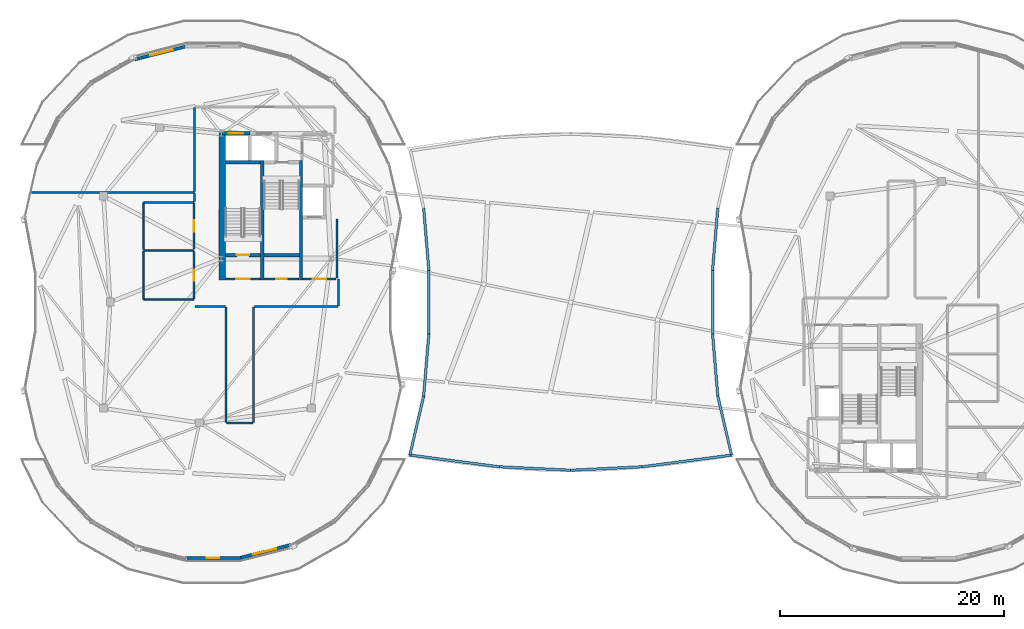
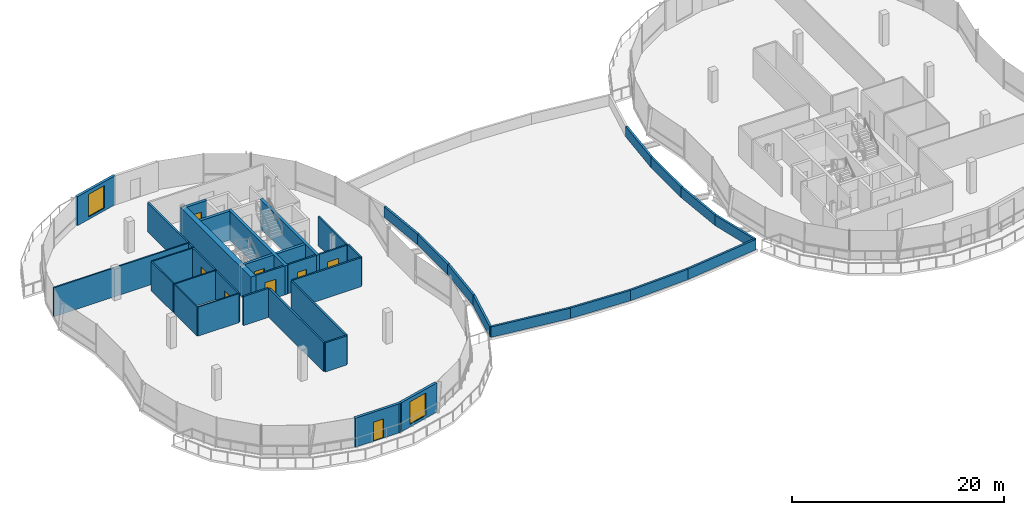
# One storey, part 20 of 31: 42 walls, 8 doors, 2 windows, 10 openings.
"""IFC4 building model written with IfcOpenShell, lengths in metres."""

import ifcopenshell
import ifcopenshell.guid

model = None  # the IFC model being written
_history = None  # IfcOwnerHistory: only IFC2X3 demands one
_inside = {}  # id of a spatial element -> (the spatial element, [elements in it])
_under = {}  # id of a project, library or spatial element -> (it, [spatial elements below it])
_declared = {}  # id of a project -> (the project, [libraries it declares])
_typed = {}  # id of a type object -> (the type object, [elements of that type])
_made_of = {}  # id of a material, layer set ... -> (it, [elements and type objects made of it])


def new_model(schema):
    """Start an empty IFC model of exactly this schema.

    Asked for "IFC4X3", IfcOpenShell would pick the latest addendum, in which some entities
    have other attributes; the version numbers below select the first issue.
    IFC2X3 requires an IfcOwnerHistory on every rooted entity: one is made here for all.
    """
    global model, _history
    if schema == "IFC4X3":
        model = ifcopenshell.file(schema_version=(4, 3, 0, 0))
    else:
        model = ifcopenshell.file(schema=schema)
    _inside.clear()
    _under.clear()
    _declared.clear()
    _typed.clear()
    _made_of.clear()
    _history = None
    if model.schema == "IFC2X3":
        org = make("IfcOrganization", Name="unknown")
        user = make(
            "IfcPersonAndOrganization",
            ThePerson=make("IfcPerson", FamilyName="unknown"),
            TheOrganization=org,
        )
        app = make(
            "IfcApplication",
            ApplicationDeveloper=org,
            Version="unknown",
            ApplicationFullName="unknown",
            ApplicationIdentifier="unknown",
        )
        _history = make(
            "IfcOwnerHistory",
            OwningUser=user,
            OwningApplication=app,
            ChangeAction="ADDED",
            CreationDate=0,
        )
    return model


def make(cls, **values):
    """One entity of the class cls with the attributes given. An attribute that is None is left unset."""
    return model.create_entity(
        cls, **{name: value for name, value in values.items() if value is not None}
    )


def rooted(cls, **values):
    """An entity with a GlobalId (a new one), such as an element, a storey or a relation."""
    return make(cls, GlobalId=ifcopenshell.guid.new(), OwnerHistory=_history, **values)


def si_unit(unit_type, name, prefix=None):
    """IfcSIUnit, for example si_unit("LENGTHUNIT", "METRE", prefix="MILLI")."""
    return make("IfcSIUnit", UnitType=unit_type, Prefix=prefix, Name=name)


def assignment(units):
    """IfcUnitAssignment: the units of a project."""
    return None if units is None else make("IfcUnitAssignment", Units=units)


def point(xyz):
    """IfcCartesianPoint."""
    return None if xyz is None else make("IfcCartesianPoint", Coordinates=xyz)


def direction(xyz):
    """IfcDirection."""
    return None if xyz is None else make("IfcDirection", DirectionRatios=xyz)


def frame(location, z_axis=None, x_axis=None):
    """IfcAxis2Placement3D, a coordinate frame: its origin and axes. An axis left out is left unset."""
    return make(
        "IfcAxis2Placement3D",
        Location=point(location),
        Axis=direction(z_axis),
        RefDirection=direction(x_axis),
    )


def frame_2d(location, x_axis=None):
    """IfcAxis2Placement2D, a coordinate frame in the plane: its origin and x axis."""
    return make(
        "IfcAxis2Placement2D", Location=point(location), RefDirection=direction(x_axis)
    )


def origin():
    """The frame at (0, 0, 0) with its axes left unset."""
    return frame((0.0, 0.0, 0.0))


def place(relative_to, where):
    """IfcLocalPlacement: puts the frame where relative to a parent placement (None: the world)."""
    return make(
        "IfcLocalPlacement", PlacementRelTo=relative_to, RelativePlacement=where
    )


def context(
    kind, dimensions, precision=None, world=None, true_north=None, identifier=None
):
    """IfcGeometricRepresentationContext, for example the 3D "Model" context."""
    return make(
        "IfcGeometricRepresentationContext",
        ContextIdentifier=identifier,
        ContextType=kind,
        CoordinateSpaceDimension=dimensions,
        Precision=precision,
        WorldCoordinateSystem=world,
        TrueNorth=true_north,
    )


def subcontext(parent, identifier, kind, view, scale=None):
    """IfcGeometricRepresentationSubContext, for example "Body" below "Model"."""
    return make(
        "IfcGeometricRepresentationSubContext",
        ContextIdentifier=identifier,
        ContextType=kind,
        ParentContext=parent,
        TargetScale=scale,
        TargetView=view,
    )


def project(units=None, contexts=None):
    """IfcProject with its units and contexts."""
    return rooted(
        "IfcProject",
        Name="project",
        RepresentationContexts=contexts,
        UnitsInContext=assignment(units),
    )


def spatial(cls, under=None, at=None, **own):
    """A site, building, storey or space (cls), placed at a placement, below another one or the project."""
    s = rooted(cls, ObjectPlacement=at, **own)
    if under is not None:
        _under.setdefault(under.id(), (under, []))[1].append(s)
    return s


def profile(cls, at=None, kind="AREA", **sizes):
    """A parametric profile (cls). Its sizes go by their IFC names, for example OverallWidth=200.0."""
    return make(cls, ProfileType=kind, Position=at, **sizes)


def rectangle(**sizes):
    """IfcRectangleProfileDef."""
    return profile("IfcRectangleProfileDef", **sizes)


def extrude(swept, where, along, depth):
    """IfcExtrudedAreaSolid: the profile swept, set in the frame where, extruded along a direction by depth."""
    return make(
        "IfcExtrudedAreaSolid",
        SweptArea=swept,
        Position=where,
        ExtrudedDirection=direction(along),
        Depth=depth,
    )


def shape(context_of_items, identifier, shape_type, items):
    """IfcShapeRepresentation: the items that make up one representation, for example the "Body"."""
    return make(
        "IfcShapeRepresentation",
        ContextOfItems=context_of_items,
        RepresentationIdentifier=identifier,
        RepresentationType=shape_type,
        Items=items,
    )


def material(Name=None, Category=None):
    """IfcMaterial."""
    return make("IfcMaterial", Name=Name, Category=Category)


def layer(
    of_material, thickness, ventilated=None, Name=None, Category=None, Priority=None
):
    """IfcMaterialLayer: one layer of a wall or slab, of a material (None: an air gap)."""
    return make(
        "IfcMaterialLayer",
        Material=of_material,
        LayerThickness=thickness,
        IsVentilated=ventilated,
        Name=Name,
        Category=Category,
        Priority=Priority,
    )


def layer_set(layers, Name=None):
    """IfcMaterialLayerSet."""
    return make("IfcMaterialLayerSet", MaterialLayers=layers, LayerSetName=Name)


def made_of(thing, what):
    """Note that an element or type object is made of a material, layer set ...; save() writes the relation."""
    if what is not None:
        _made_of.setdefault(what.id(), (what, []))[1].append(thing)
    return thing


def type_object(cls, material=None, **own):
    """A type object (cls), such as IfcWallType, which elements share."""
    return made_of(rooted(cls, **own), material)


def element(
    cls,
    number,
    at=None,
    inside=None,
    cuts=None,
    type_object=None,
    material=None,
    context=None,
    identifier="Body",
    shape_type=None,
    held_by="IfcProductDefinitionShape",
    body=None,
    shapes=None,
    **own,
):
    """One element of the class cls, such as IfcWall. Its Tag is "e" and its number.

    at: its placement. inside: the storey or other place that contains it. cuts: it is an
    opening in that element (IfcRelVoidsElement). A single representation is given by context,
    identifier, shape_type and body (its items); several are given by shapes. held_by: the class
    of the entity that holds the representations. save() writes the other relations.
    """
    e = rooted(cls, Tag="e%d" % number, ObjectPlacement=at, **own)
    if body is not None:
        shapes = [shape(context, identifier, shape_type, body)]
    if shapes is not None:
        e.Representation = make(held_by, Representations=shapes)
    if inside is not None:
        _inside.setdefault(inside.id(), (inside, []))[1].append(e)
    if cuts is not None:
        rooted(
            "IfcRelVoidsElement", RelatingBuildingElement=cuts, RelatedOpeningElement=e
        )
    if type_object is not None:
        _typed.setdefault(type_object.id(), (type_object, []))[1].append(e)
    return made_of(e, material)


def fill(opening, filler):
    """IfcRelFillsElement: the door or window that sits in an opening."""
    return rooted(
        "IfcRelFillsElement",
        RelatingOpeningElement=opening,
        RelatedBuildingElement=filler,
    )


def aggregate(whole, parts):
    """IfcRelAggregates: a whole, such as a stair, and the parts it consists of."""
    return rooted("IfcRelAggregates", RelatingObject=whole, RelatedObjects=parts)


def save(model, path):
    """Write the relations noted so far, then the file.

    IfcRelAggregates (storeys below a building ...), IfcRelContainedInSpatialStructure (elements
    in a storey), IfcRelDefinesByType, IfcRelAssociatesMaterial and IfcRelDeclares: one each for
    every whole, place, type object, material and project.
    """
    for whole, parts in _under.values():
        aggregate(whole, parts)
    for where, things in _inside.values():
        rooted(
            "IfcRelContainedInSpatialStructure",
            RelatedElements=things,
            RelatingStructure=where,
        )
    for kind, things in _typed.values():
        rooted("IfcRelDefinesByType", RelatedObjects=things, RelatingType=kind)
    for what, things in _made_of.values():
        rooted("IfcRelAssociatesMaterial", RelatedObjects=things, RelatingMaterial=what)
    for by, libraries in _declared.values():
        rooted("IfcRelDeclares", RelatingContext=by, RelatedDefinitions=libraries)
    model.write(path)


model = new_model("IFC4")

# Units and contexts
model_context = context("Model", 3, precision=1e-05, world=origin(), true_north=direction((0.0, 1.0)))
body_context = subcontext(model_context, "Body", "Model", "MODEL_VIEW")
ifc_project = project(units=[si_unit("LENGTHUNIT", "METRE"), si_unit("AREAUNIT", "SQUARE_METRE"), si_unit("VOLUMEUNIT", "CUBIC_METRE"), si_unit("PLANEANGLEUNIT", "RADIAN"), si_unit("MASSUNIT", "GRAM", prefix="KILO"), si_unit("THERMODYNAMICTEMPERATUREUNIT", "KELVIN"), si_unit("POWERUNIT", "WATT")], contexts=[model_context])

# Site, building, storey
site_placement = place(None, origin())
site = spatial("IfcSite", under=ifc_project, at=site_placement, CompositionType="ELEMENT")
building_placement = place(site_placement, origin())
building = spatial("IfcBuilding", under=site, at=building_placement, Name="Cundina Bronze Exchange", CompositionType="ELEMENT")
storey_placement = place(building_placement, frame((0.0, 0.0, 275.60009765625)))
storey = spatial("IfcBuildingStorey", under=building, at=storey_placement, Name="L73", CompositionType="ELEMENT", Elevation=275.60009765625)

# Wall
ifc_material_1 = material(Name="Gypsum Fireboard Partition EI120")
ifc_layer_1 = layer(ifc_material_1, 0.179931640625, Name="Gypsum Fireboard Partition EI120")
ifc_layer_set_1 = layer_set([ifc_layer_1], Name="Gypsum Fireboard Partition EI120")
wall_type_1 = type_object("IfcWallType", Name="WL-COR-180", PredefinedType="PARTITIONING", material=ifc_layer_set_1)
wall_1_placement = place(storey_placement, frame((-20.889892578125, 2.14990234375, 0.0), z_axis=(0.0, 0.0, 1.0), x_axis=(0.0, 1.0, 0.0)))
element("IfcWall", 1, at=wall_1_placement, inside=storey, type_object=wall_type_1, Name="L73 W Firefighting Lobby Side Wall", PredefinedType="PARTITIONING", context=body_context, shape_type="SweptSolid", body=[
    extrude(rectangle(XDim=5.300048828125, YDim=0.179931640625, at=frame_2d((2.64990234375, 0.0))), origin(), (0.0, 0.0, 1.0), 3.33984375),
])

# Wall, opening, door
wall_2_placement = place(storey_placement, frame((-23.97998046875, 2.06005859375, 0.0), z_axis=(0.0, 0.0, 1.0), x_axis=(1.0, 0.0, 0.0)))
wall_2 = element("IfcWall", 2, at=wall_2_placement, inside=storey, type_object=wall_type_1, Name="L73 W Firefighting Lobby Exit Wall", PredefinedType="PARTITIONING", context=body_context, shape_type="SweptSolid", body=[
    extrude(rectangle(XDim=3.0, YDim=0.179931640625, at=frame_2d((1.5, 0.0))), origin(), (0.0, 0.0, 1.0), 3.33984375),
])
opening_1_placement = place(wall_2_placement, frame((0.89990234375, 0.0, 0.0)))
opening_1 = element("IfcOpeningElement", 3, at=opening_1_placement, cuts=wall_2, Name="Opening DF-01", PredefinedType="OPENING", context=body_context, shape_type="SweptSolid", body=[
    extrude(rectangle(XDim=1.199951171875, YDim=2.14990234375, at=frame_2d((0.60009765625, 1.074951171875))), frame((0.0, 0.099853515625, 0.0), z_axis=(0.0, -1.0, 0.0), x_axis=(1.0, 0.0, 0.0)), (0.0, 0.0, 1.0), 0.199951171875),
])
ifc_material_2 = material(Name="Steel ASTM A36 Painted", Category="steel")
door_type_1 = type_object("IfcDoorType", Name="DR-FFL-1200", OperationType="NOTDEFINED", PredefinedType="DOOR", material=ifc_material_2)
door_1_placement = place(opening_1_placement, origin())
door_1 = element("IfcDoor", 4, at=door_1_placement, inside=storey, type_object=door_type_1, Name="L73 W Firefighting Lobby Door", OperationType="SINGLE_SWING_RIGHT", OverallHeight=2.14990234375, OverallWidth=1.199951171875, PredefinedType="DOOR", context=body_context, shape_type="SweptSolid", body=[
    extrude(rectangle(XDim=1.199951171875, YDim=2.14990234375, at=frame_2d((0.60009765625, 1.074951171875))), frame((0.0, 0.02490234375, 0.0), z_axis=(0.0, -1.0, 0.0), x_axis=(1.0, 0.0, 0.0)), (0.0, 0.0, 1.0), 0.050048828125),
])
fill(opening_1, door_1)

wall_3_placement = place(storey_placement, frame((-30.89990234375, 2.06005859375, 0.0), z_axis=(0.0, 0.0, 1.0), x_axis=(1.0, 0.0, 0.0)))
wall_3 = element("IfcWall", 5, at=wall_3_placement, inside=storey, type_object=wall_type_1, Name="L73 W Stair Vestibule Exit Wall", PredefinedType="PARTITIONING", context=body_context, shape_type="SweptSolid", body=[
    extrude(rectangle(XDim=3.159912109375, YDim=0.179931640625, at=frame_2d((1.580078125, 0.0))), origin(), (0.0, 0.0, 1.0), 3.33984375),
])
opening_2_placement = place(wall_3_placement, frame((0.97998046875, 0.0, 0.0)))
opening_2 = element("IfcOpeningElement", 6, at=opening_2_placement, cuts=wall_3, Name="Opening DF-01", PredefinedType="OPENING", context=body_context, shape_type="SweptSolid", body=[
    extrude(rectangle(XDim=1.199951171875, YDim=2.14990234375, at=frame_2d((0.60009765625, 1.074951171875))), frame((0.0, 0.099853515625, 0.0), z_axis=(0.0, -1.0, 0.0), x_axis=(1.0, 0.0, 0.0)), (0.0, 0.0, 1.0), 0.199951171875),
])
door_2_placement = place(opening_2_placement, origin())
door_2 = element("IfcDoor", 7, at=door_2_placement, inside=storey, type_object=door_type_1, Name="L73 W Stair Vestibule Door", OperationType="SINGLE_SWING_LEFT", OverallHeight=2.14990234375, OverallWidth=1.199951171875, PredefinedType="DOOR", context=body_context, shape_type="SweptSolid", body=[
    extrude(rectangle(XDim=1.199951171875, YDim=2.14990234375, at=frame_2d((0.60009765625, 1.074951171875))), frame((0.0, 0.02490234375, 0.0), z_axis=(0.0, -1.0, 0.0), x_axis=(1.0, 0.0, 0.0)), (0.0, 0.0, 1.0), 0.050048828125),
])
fill(opening_2, door_2)

wall_4_placement = place(storey_placement, frame((-27.419921875, 2.070068359375, 0.0), z_axis=(0.0, 0.0, 1.0), x_axis=(1.0, 0.0, 0.0)))
wall_4 = element("IfcWall", 8, at=wall_4_placement, inside=storey, type_object=wall_type_1, Name="L73 Interior Partition 004", PredefinedType="PARTITIONING", context=body_context, shape_type="SweptSolid", body=[
    extrude(rectangle(XDim=3.119873046875, YDim=0.179931640625, at=frame_2d((1.56005859375, 0.0))), origin(), (0.0, 0.0, 1.0), 3.33984375),
])
opening_3_placement = place(wall_4_placement, frame((1.0849609375, 0.0, 0.0)))
opening_3 = element("IfcOpeningElement", 9, at=opening_3_placement, cuts=wall_4, Name="Opening DW-01", PredefinedType="OPENING", context=body_context, shape_type="SweptSolid", body=[
    extrude(rectangle(XDim=0.949951171875, YDim=2.10009765625, at=frame_2d((0.47509765625, 1.050048828125))), frame((0.0, 0.099853515625, 0.0), z_axis=(0.0, -1.0, 0.0), x_axis=(1.0, 0.0, 0.0)), (0.0, 0.0, 1.0), 0.199951171875),
])
ifc_material_3 = material(Name="Solid Andean Oak Timber Grade A", Category="wood")
door_type_2 = type_object("IfcDoorType", Name="DR-WC-950", OperationType="NOTDEFINED", PredefinedType="DOOR", material=ifc_material_3)
door_3_placement = place(opening_3_placement, origin())
door_3 = element("IfcDoor", 10, at=door_3_placement, inside=storey, type_object=door_type_2, Name="L73 Interior Door 004", OperationType="SINGLE_SWING_LEFT", OverallHeight=2.10009765625, OverallWidth=0.949951171875, PredefinedType="DOOR", context=body_context, shape_type="SweptSolid", body=[
    extrude(rectangle(XDim=0.949951171875, YDim=2.10009765625, at=frame_2d((0.47509765625, 1.050048828125))), frame((0.0, 0.02490234375, 0.0), z_axis=(0.0, -1.0, 0.0), x_axis=(1.0, 0.0, 0.0)), (0.0, 0.0, 1.0), 0.050048828125),
])
fill(opening_3, door_3)

wall_5_placement = place(storey_placement, frame((-33.719970703125, 0.27001953125, 0.0), z_axis=(0.0, 0.0, 1.0), x_axis=(0.0, 1.0, 0.0)))
wall_5 = element("IfcWall", 11, at=wall_5_placement, inside=storey, type_object=wall_type_1, Name="L73 Interior Partition 011", PredefinedType="PARTITIONING", context=body_context, shape_type="SweptSolid", body=[
    extrude(rectangle(XDim=4.260009765625, YDim=0.179931640625, at=frame_2d((2.1298828125, 0.0))), origin(), (0.0, 0.0, 1.0), 3.33984375),
])
opening_4_placement = place(wall_5_placement, frame((1.655029296875, 0.0, 0.0)))
opening_4 = element("IfcOpeningElement", 12, at=opening_4_placement, cuts=wall_5, Name="Opening DW-01", PredefinedType="OPENING", context=body_context, shape_type="SweptSolid", body=[
    extrude(rectangle(XDim=0.949951171875, YDim=2.10009765625, at=frame_2d((0.47509765625, 1.050048828125))), frame((0.0, 0.099853515625, 0.0), z_axis=(0.0, -1.0, 0.0), x_axis=(1.0, 0.0, 0.0)), (0.0, 0.0, 1.0), 0.199951171875),
])
door_4_placement = place(opening_4_placement, origin())
door_4 = element("IfcDoor", 13, at=door_4_placement, inside=storey, type_object=door_type_2, Name="L73 Interior Door 011", OperationType="SINGLE_SWING_LEFT", OverallHeight=2.10009765625, OverallWidth=0.949951171875, PredefinedType="DOOR", context=body_context, shape_type="SweptSolid", body=[
    extrude(rectangle(XDim=0.949951171875, YDim=2.10009765625, at=frame_2d((0.47509765625, 1.050048828125))), frame((0.0, 0.02490234375, 0.0), z_axis=(0.0, -1.0, 0.0), x_axis=(1.0, 0.0, 0.0)), (0.0, 0.0, 1.0), 0.050048828125),
])
fill(opening_4, door_4)

wall_6_placement = place(storey_placement, frame((-33.719970703125, 4.72998046875, 0.0), z_axis=(0.0, 0.0, 1.0), x_axis=(0.0, 1.0, 0.0)))
wall_6 = element("IfcWall", 14, at=wall_6_placement, inside=storey, type_object=wall_type_1, Name="L73 Interior Partition 012", PredefinedType="PARTITIONING", context=body_context, shape_type="SweptSolid", body=[
    extrude(rectangle(XDim=4.159912109375, YDim=0.179931640625, at=frame_2d((2.080078125, 0.0))), origin(), (0.0, 0.0, 1.0), 3.33984375),
])
opening_5_placement = place(wall_6_placement, frame((1.580078125, 0.0, 0.0)))
opening_5 = element("IfcOpeningElement", 15, at=opening_5_placement, cuts=wall_6, Name="Opening DO-01", PredefinedType="OPENING", context=body_context, shape_type="SweptSolid", body=[
    extrude(rectangle(XDim=1.0, YDim=2.14990234375, at=frame_2d((0.5, 1.074951171875))), frame((0.0, 0.099853515625, 0.0), z_axis=(0.0, -1.0, 0.0), x_axis=(1.0, 0.0, 0.0)), (0.0, 0.0, 1.0), 0.199951171875),
])
door_type_3 = type_object("IfcDoorType", Name="DR-OFF-1000", OperationType="NOTDEFINED", PredefinedType="DOOR", material=ifc_material_3)
door_5_placement = place(opening_5_placement, origin())
door_5 = element("IfcDoor", 16, at=door_5_placement, inside=storey, type_object=door_type_3, Name="L73 Interior Door 012", OperationType="SINGLE_SWING_LEFT", OverallHeight=2.14990234375, OverallWidth=1.0, PredefinedType="DOOR", context=body_context, shape_type="SweptSolid", body=[
    extrude(rectangle(XDim=1.0, YDim=2.14990234375, at=frame_2d((0.5, 1.074951171875))), frame((0.0, 0.02490234375, 0.0), z_axis=(0.0, -1.0, 0.0), x_axis=(1.0, 0.0, 0.0)), (0.0, 0.0, 1.0), 0.050048828125),
])
fill(opening_5, door_5)

# Walls
for number, where, z_axis, x_axis, name in (
    (17, (-30.820068359375, -0.449951171875, 0.0), (0.0, 0.0, 1.0), (0.0, -1.0, 0.0), "L73 Interior Partition 015"),
    (18, (-28.3798828125, -10.778564453125, 0.0), (0.0, 0.0, 1.0), (0.0, 1.0, 0.0), "L73 Interior Partition 016"),
):
    element("IfcWall", number, at=place(storey_placement, frame(where, z_axis=z_axis, x_axis=x_axis)), inside=storey, type_object=wall_type_1, Name=name, PredefinedType="PARTITIONING", context=body_context, shape_type="SweptSolid", body=[
        extrude(rectangle(XDim=10.32861328125, YDim=0.179931640625, at=frame_2d((5.164306640625, 0.0))), origin(), (0.0, 0.0, 1.0), 3.33984375),
    ])
wall_7_placement = place(storey_placement, frame((-33.669921875, 17.428466796875, 0.0), z_axis=(0.0, 0.0, 1.0), x_axis=(0.0, -1.0, 0.0)))
element("IfcWall", 19, at=wall_7_placement, inside=storey, type_object=wall_type_1, Name="L73 Interior Partition 017", PredefinedType="PARTITIONING", context=body_context, shape_type="SweptSolid", body=[
    extrude(rectangle(XDim=7.53857421875, YDim=0.179931640625, at=frame_2d((3.769287109375, 0.0))), origin(), (0.0, 0.0, 1.0), 3.33984375),
])
wall_8_placement = place(storey_placement, frame((-28.300048828125, -0.3701171875, 0.0), z_axis=(0.0, 0.0, 1.0), x_axis=(1.0, 0.0, 0.0)))
element("IfcWall", 20, at=wall_8_placement, inside=storey, type_object=wall_type_1, Name="L73 Interior Partition 018", PredefinedType="PARTITIONING", context=body_context, shape_type="SweptSolid", body=[
    extrude(rectangle(XDim=7.478515625, YDim=0.179931640625, at=frame_2d((3.7392578125, 0.0))), origin(), (0.0, 0.0, 1.0), 3.33984375),
])
wall_9_placement = place(storey_placement, frame((-33.62841796875, -0.3701171875, 0.0), z_axis=(0.0, 0.0, 1.0), x_axis=(1.0, 0.0, 0.0)))
element("IfcWall", 21, at=wall_9_placement, inside=storey, type_object=wall_type_1, Name="L73 Interior Partition 019", PredefinedType="PARTITIONING", context=body_context, shape_type="SweptSolid", body=[
    extrude(rectangle(XDim=2.728515625, YDim=0.179931640625, at=frame_2d((1.3642578125, 0.0))), origin(), (0.0, 0.0, 1.0), 3.33984375),
])
wall_10_placement = place(storey_placement, frame((-20.780029296875, -0.32861328125, 0.0), z_axis=(0.0, 0.0, 1.0), x_axis=(0.0, 1.0, 0.0)))
element("IfcWall", 22, at=wall_10_placement, inside=storey, type_object=wall_type_1, Name="L73 Interior Partition 020", PredefinedType="PARTITIONING", context=body_context, shape_type="SweptSolid", body=[
    extrude(rectangle(XDim=2.38720703125, YDim=0.179931640625, at=frame_2d((1.193603515625, 0.0))), origin(), (0.0, 0.0, 1.0), 3.33984375),
])
wall_11_placement = place(storey_placement, frame((-30.778564453125, -10.820068359375, 0.0), z_axis=(0.0, 0.0, 1.0), x_axis=(1.0, 0.0, 0.0)))
element("IfcWall", 23, at=wall_11_placement, inside=storey, type_object=wall_type_1, Name="L73 Interior Partition 021", PredefinedType="PARTITIONING", context=body_context, shape_type="SweptSolid", body=[
    extrude(rectangle(XDim=2.357177734375, YDim=0.179931640625, at=frame_2d((1.1787109375, 0.0))), origin(), (0.0, 0.0, 1.0), 3.33984375),
])
wall_12_placement = place(storey_placement, frame((-33.669921875, 9.7099609375, 0.0), z_axis=(0.0, 0.0, 1.0), x_axis=(0.0, -1.0, 0.0)))
element("IfcWall", 24, at=wall_12_placement, inside=storey, type_object=wall_type_1, Name="L73 Interior Partition 023", PredefinedType="PARTITIONING", context=body_context, shape_type="SweptSolid", body=[
    extrude(rectangle(XDim=0.70849609375, YDim=0.179931640625, at=frame_2d((0.354248046875, 0.0))), origin(), (0.0, 0.0, 1.0), 3.33984375),
])
ifc_material_4 = material(Name="Concrete C50/60", Category="concrete")
ifc_layer_2 = layer(ifc_material_4, 0.550048828125, Name="Concrete C50/60", Category="concrete")
ifc_layer_set_2 = layer_set([ifc_layer_2], Name="Concrete C50/60")
wall_type_2 = type_object("IfcWallType", Name="WL-CORE-550", PredefinedType="SHEAR", material=ifc_layer_set_2)
wall_13_placement = place(storey_placement, frame((-31.175048828125, 1.969970703125, 0.0), z_axis=(0.0, 0.0, 1.0), x_axis=(0.0, 1.0, 0.0)))
element("IfcWall", 25, at=wall_13_placement, inside=storey, type_object=wall_type_2, Name="L73 W Primary Core Shear Spine Wall", PredefinedType="SHEAR", context=body_context, shape_type="SweptSolid", body=[
    extrude(rectangle(XDim=13.330078125, YDim=0.550048828125, at=frame_2d((6.6650390625, 0.0))), origin(), (0.0, 0.0, 1.0), 3.33984375),
])

# Wall, opening, window
ifc_material_5 = material(Name="Precast Concrete C45/55", Category="concrete")
ifc_layer_3 = layer(ifc_material_5, 0.280029296875, Name="Precast Concrete C45/55", Category="concrete")
ifc_layer_set_3 = layer_set([ifc_layer_3], Name="Precast Concrete C45/55")
wall_type_3 = type_object("IfcWallType", Name="WL-EXT-280", PredefinedType="SOLIDWALL", material=ifc_layer_set_3)
wall_14_placement = place(storey_placement, frame((-34.20263671875, 22.934326171875, 0.0), z_axis=(0.0, 0.0, 1.0), x_axis=(-0.96898479651, -0.247120343421, 0.0)))
wall_14 = element("IfcWall", 26, at=wall_14_placement, inside=storey, type_object=wall_type_3, Name="L73 Leg W Crown Feature Wall 07", PredefinedType="SOLIDWALL", context=body_context, shape_type="SweptSolid", body=[
    extrude(rectangle(XDim=4.971435546875, YDim=0.280029296875, at=frame_2d((2.48583984375, 0.0))), origin(), (0.0, 0.0, 1.0), 3.33984375),
])
opening_6_placement = place(wall_14_placement, frame((1.43603515625, 0.0, 0.300048828125)))
opening_6 = element("IfcOpeningElement", 27, at=opening_6_placement, cuts=wall_14, Name="Opening W-04", PredefinedType="OPENING", context=body_context, shape_type="SweptSolid", body=[
    extrude(rectangle(XDim=2.10009765625, YDim=2.60009765625, at=frame_2d((1.050048828125, 1.300048828125))), frame((0.0, 0.14990234375, 0.0), z_axis=(0.0, -1.0, 0.0), x_axis=(1.0, 0.0, 0.0)), (0.0, 0.0, 1.0), 0.300048828125),
])
ifc_material_6 = material(Name="Clear Low-E Insulating Glass 26mm", Category="glass")
window_type = type_object("IfcWindowType", Name="WN-CRN-2100", PartitioningType="SINGLE_PANEL", PredefinedType="WINDOW", material=ifc_material_6)
window_1_placement = place(opening_6_placement, origin())
window_1 = element("IfcWindow", 28, at=window_1_placement, inside=storey, type_object=window_type, Name="L73 Leg W Crown Pavilion Window 07", OverallHeight=2.60009765625, OverallWidth=2.10009765625, PartitioningType="SINGLE_PANEL", PredefinedType="WINDOW", context=body_context, shape_type="SweptSolid", body=[
    extrude(rectangle(XDim=2.10009765625, YDim=2.60009765625, at=frame_2d((1.050048828125, 1.300048828125))), frame((0.0, 0.030029296875, 0.0), z_axis=(0.0, -1.0, 0.0), x_axis=(1.0, 0.0, 0.0)), (0.0, 0.0, 1.0), 0.06005859375),
])
fill(opening_6, window_1)

# Wall, opening, door
wall_15_placement = place(storey_placement, frame((-34.517578125, -22.894775390625, 0.0), z_axis=(0.0, 0.0, 1.0), x_axis=(1.0, 0.0, 0.0)))
wall_15 = element("IfcWall", 29, at=wall_15_placement, inside=storey, type_object=wall_type_3, Name="L73 Leg W Crown Terrace Wall 20", PredefinedType="SOLIDWALL", context=body_context, shape_type="SweptSolid", body=[
    extrude(rectangle(XDim=5.03515625, YDim=0.280029296875, at=frame_2d((2.517578125, 0.0))), origin(), (0.0, 0.0, 1.0), 3.33984375),
])
opening_7_placement = place(wall_15_placement, frame((1.968017578125, 0.0, 0.0)))
opening_7 = element("IfcOpeningElement", 30, at=opening_7_placement, cuts=wall_15, Name="Opening DT-01", PredefinedType="OPENING", context=body_context, shape_type="SweptSolid", body=[
    extrude(rectangle(XDim=1.10009765625, YDim=2.199951171875, at=frame_2d((0.550048828125, 1.10009765625))), frame((0.0, 0.14990234375, 0.0), z_axis=(0.0, -1.0, 0.0), x_axis=(1.0, 0.0, 0.0)), (0.0, 0.0, 1.0), 0.300048828125),
])
ifc_material_7 = material(Name="Anodised Bronze Aluminium 6063-T6", Category="aluminium")
door_type_4 = type_object("IfcDoorType", Name="DR-TER-1100", OperationType="NOTDEFINED", PredefinedType="DOOR", material=ifc_material_7)
door_6_placement = place(opening_7_placement, origin())
door_6 = element("IfcDoor", 31, at=door_6_placement, inside=storey, type_object=door_type_4, Name="L73 Leg W Planted Terrace Access Door 20", OperationType="SINGLE_SWING_RIGHT", OverallHeight=2.199951171875, OverallWidth=1.10009765625, PredefinedType="DOOR", context=body_context, shape_type="SweptSolid", body=[
    extrude(rectangle(XDim=1.10009765625, YDim=2.199951171875, at=frame_2d((0.550048828125, 1.10009765625))), frame((0.0, 0.02490234375, 0.0), z_axis=(0.0, -1.0, 0.0), x_axis=(1.0, 0.0, 0.0)), (0.0, 0.0, 1.0), 0.050048828125),
])
fill(opening_7, door_6)

# Wall, opening, window
wall_16_placement = place(storey_placement, frame((-29.79736328125, -22.934326171875, 0.0), z_axis=(0.0, 0.0, 1.0), x_axis=(0.96898479651, 0.247120343421, 0.0)))
wall_16 = element("IfcWall", 32, at=wall_16_placement, inside=storey, type_object=wall_type_3, Name="L73 Leg W Crown Feature Wall 21", PredefinedType="SOLIDWALL", context=body_context, shape_type="SweptSolid", body=[
    extrude(rectangle(XDim=4.971435546875, YDim=0.280029296875, at=frame_2d((2.48583984375, 0.0))), origin(), (0.0, 0.0, 1.0), 3.33984375),
])
opening_8_placement = place(wall_16_placement, frame((1.43603515625, 0.0, 0.300048828125)))
opening_8 = element("IfcOpeningElement", 33, at=opening_8_placement, cuts=wall_16, Name="Opening W-04", PredefinedType="OPENING", context=body_context, shape_type="SweptSolid", body=[
    extrude(rectangle(XDim=2.10009765625, YDim=2.60009765625, at=frame_2d((1.050048828125, 1.300048828125))), frame((0.0, 0.14990234375, 0.0), z_axis=(0.0, -1.0, 0.0), x_axis=(1.0, 0.0, 0.0)), (0.0, 0.0, 1.0), 0.300048828125),
])
window_2_placement = place(opening_8_placement, origin())
window_2 = element("IfcWindow", 34, at=window_2_placement, inside=storey, type_object=window_type, Name="L73 Leg W Crown Pavilion Window 21", OverallHeight=2.60009765625, OverallWidth=2.10009765625, PartitioningType="SINGLE_PANEL", PredefinedType="WINDOW", context=body_context, shape_type="SweptSolid", body=[
    extrude(rectangle(XDim=2.10009765625, YDim=2.60009765625, at=frame_2d((1.050048828125, 1.300048828125))), frame((0.0, 0.030029296875, 0.0), z_axis=(0.0, -1.0, 0.0), x_axis=(1.0, 0.0, 0.0)), (0.0, 0.0, 1.0), 0.06005859375),
])
fill(opening_8, window_2)

# Walls
ifc_layer_4 = layer(ifc_material_5, 0.219970703125, Name="Precast Concrete C45/55", Category="concrete")
ifc_layer_set_4 = layer_set([ifc_layer_4], Name="Precast Concrete C45/55")
wall_type_4 = type_object("IfcWallType", Name="WL-PAR-220", PredefinedType="PARAPET", material=ifc_layer_set_4)
wall_17_placement = place(storey_placement, frame((13.158935546875, 8.4248046875, 0.0), z_axis=(0.0, 0.0, 1.0), x_axis=(-0.083914886137, -0.996472925816, 0.0)))
element("IfcWall", 35, at=wall_17_placement, inside=storey, type_object=wall_type_4, Name="L73 Sky-Gate Bridge Roof Parapet 06", PredefinedType="PARAPET", context=body_context, shape_type="SweptSolid", body=[
    extrude(rectangle(XDim=5.6005859375, YDim=0.219970703125, at=frame_2d((2.80029296875, 0.0))), origin(), (0.0, 0.0, 1.0), 1.199951171875),
])
wall_18_placement = place(storey_placement, frame((12.68896484375, 2.843994140625, 0.0), z_axis=(0.0, 0.0, 1.0), x_axis=(0.0, -1.0, 0.0)))
element("IfcWall", 36, at=wall_18_placement, inside=storey, type_object=wall_type_4, Name="L73 Sky-Gate Bridge Roof Parapet 07", PredefinedType="PARAPET", context=body_context, shape_type="SweptSolid", body=[
    extrude(rectangle(XDim=5.68798828125, YDim=0.219970703125, at=frame_2d((2.843994140625, 0.0))), origin(), (0.0, 0.0, 1.0), 1.199951171875),
])
wall_19_placement = place(storey_placement, frame((12.68896484375, -2.843994140625, 0.0), z_axis=(0.0, 0.0, 1.0), x_axis=(0.083643142328, -0.996495772566, 0.0)))
element("IfcWall", 37, at=wall_19_placement, inside=storey, type_object=wall_type_4, Name="L73 Sky-Gate Bridge Roof Parapet 08", PredefinedType="PARAPET", context=body_context, shape_type="SweptSolid", body=[
    extrude(rectangle(XDim=5.577880859375, YDim=0.219970703125, at=frame_2d((2.7890625, 0.0))), origin(), (0.0, 0.0, 1.0), 1.199951171875),
])
wall_20_placement = place(storey_placement, frame((13.155517578125, -8.40234375, 0.0), z_axis=(0.0, 0.0, 1.0), x_axis=(0.228304593418, -0.973589755813, 0.0)))
element("IfcWall", 38, at=wall_20_placement, inside=storey, type_object=wall_type_4, Name="L73 Sky-Gate Bridge Roof Parapet 09", PredefinedType="PARAPET", context=body_context, shape_type="SweptSolid", body=[
    extrude(rectangle(XDim=5.427001953125, YDim=0.219970703125, at=frame_2d((2.71337890625, 0.0))), origin(), (0.0, 0.0, 1.0), 1.199951171875),
])
wall_21_placement = place(storey_placement, frame((14.39453125, -13.68603515625, 0.0), z_axis=(0.0, 0.0, 1.0), x_axis=(-0.991537935371, -0.129817266649, 0.0)))
element("IfcWall", 39, at=wall_21_placement, inside=storey, type_object=wall_type_4, Name="L73 Sky-Gate Bridge Roof Parapet 10", PredefinedType="PARAPET", context=body_context, shape_type="SweptSolid", body=[
    extrude(rectangle(XDim=8.077392578125, YDim=0.219970703125, at=frame_2d((4.03857421875, 0.0))), origin(), (0.0, 0.0, 1.0), 1.199951171875),
])
for number, where, z_axis, x_axis, name in (
    (40, (6.385498046875, -14.734619140625, 0.0), (0.0, 0.0, 1.0), (-0.998858092848, -0.047775625087, 0.0), "L73 Sky-Gate Bridge Roof Parapet 11"),
    (41, (0.0, -15.0400390625, 0.0), (0.0, 0.0, 1.0), (-0.998858092848, 0.047775625087, 0.0), "L73 Sky-Gate Bridge Roof Parapet 12"),
):
    element("IfcWall", number, at=place(storey_placement, frame(where, z_axis=z_axis, x_axis=x_axis)), inside=storey, type_object=wall_type_4, Name=name, PredefinedType="PARAPET", context=body_context, shape_type="SweptSolid", body=[
        extrude(rectangle(XDim=6.392822265625, YDim=0.219970703125, at=frame_2d((3.1962890625, 0.0))), origin(), (0.0, 0.0, 1.0), 1.199951171875),
    ])
wall_22_placement = place(storey_placement, frame((-6.385498046875, -14.734619140625, 0.0), z_axis=(0.0, 0.0, 1.0), x_axis=(-0.991537935371, 0.129817266649, 0.0)))
element("IfcWall", 42, at=wall_22_placement, inside=storey, type_object=wall_type_4, Name="L73 Sky-Gate Bridge Roof Parapet 13", PredefinedType="PARAPET", context=body_context, shape_type="SweptSolid", body=[
    extrude(rectangle(XDim=8.077392578125, YDim=0.219970703125, at=frame_2d((4.03857421875, 0.0))), origin(), (0.0, 0.0, 1.0), 1.199951171875),
])
wall_23_placement = place(storey_placement, frame((-14.39453125, -13.68603515625, 0.0), z_axis=(0.0, 0.0, 1.0), x_axis=(0.228628890587, 0.973513651876, 0.0)))
element("IfcWall", 43, at=wall_23_placement, inside=storey, type_object=wall_type_4, Name="L73 Sky-Gate Bridge Roof Parapet 14", PredefinedType="PARAPET", context=body_context, shape_type="SweptSolid", body=[
    extrude(rectangle(XDim=5.404296875, YDim=0.219970703125, at=frame_2d((2.7021484375, 0.0))), origin(), (0.0, 0.0, 1.0), 1.199951171875),
])
wall_24_placement = place(storey_placement, frame((-13.158935546875, -8.4248046875, 0.0), z_axis=(0.0, 0.0, 1.0), x_axis=(0.083914886137, 0.996472925816, 0.0)))
element("IfcWall", 44, at=wall_24_placement, inside=storey, type_object=wall_type_4, Name="L73 Sky-Gate Bridge Roof Parapet 15", PredefinedType="PARAPET", context=body_context, shape_type="SweptSolid", body=[
    extrude(rectangle(XDim=5.6005859375, YDim=0.219970703125, at=frame_2d((2.80029296875, 0.0))), origin(), (0.0, 0.0, 1.0), 1.199951171875),
])
wall_25_placement = place(storey_placement, frame((-12.68896484375, -2.843994140625, 0.0), z_axis=(0.0, 0.0, 1.0), x_axis=(0.0, 1.0, 0.0)))
element("IfcWall", 45, at=wall_25_placement, inside=storey, type_object=wall_type_4, Name="L73 Sky-Gate Bridge Roof Parapet 16", PredefinedType="PARAPET", context=body_context, shape_type="SweptSolid", body=[
    extrude(rectangle(XDim=5.68798828125, YDim=0.219970703125, at=frame_2d((2.843994140625, 0.0))), origin(), (0.0, 0.0, 1.0), 1.199951171875),
])
wall_26_placement = place(storey_placement, frame((-12.68896484375, 2.843994140625, 0.0), z_axis=(0.0, 0.0, 1.0), x_axis=(-0.083643142328, 0.996495772566, 0.0)))
element("IfcWall", 46, at=wall_26_placement, inside=storey, type_object=wall_type_4, Name="L73 Sky-Gate Bridge Roof Parapet 17", PredefinedType="PARAPET", context=body_context, shape_type="SweptSolid", body=[
    extrude(rectangle(XDim=5.577880859375, YDim=0.219970703125, at=frame_2d((2.7890625, 0.0))), origin(), (0.0, 0.0, 1.0), 1.199951171875),
])
ifc_layer_5 = layer(ifc_material_4, 0.300048828125, Name="Concrete C50/60", Category="concrete")
ifc_layer_set_5 = layer_set([ifc_layer_5], Name="Concrete C50/60")
wall_type_5 = type_object("IfcWallType", Name="WL-SHFT-300", PredefinedType="SHEAR", material=ifc_layer_set_5)
for number, where, z_axis, x_axis, name in (
    (47, (-27.590087890625, 1.969970703125, 0.0), (0.0, 0.0, 1.0), (0.0, 1.0, 0.0), "L73 W Stair Shaft Dividing Shear Wall"),
    (48, (-24.1298828125, 1.969970703125, 0.0), (0.0, 0.0, 1.0), (0.0, 1.0, 0.0), "L73 W Stair 2 East Shear Wall"),
):
    element("IfcWall", number, at=place(storey_placement, frame(where, z_axis=z_axis, x_axis=x_axis)), inside=storey, type_object=wall_type_5, Name=name, PredefinedType="SHEAR", context=body_context, shape_type="SweptSolid", body=[
        extrude(rectangle(XDim=10.679931640625, YDim=0.300048828125, at=frame_2d((5.33984375, 0.0))), origin(), (0.0, 0.0, 1.0), 3.33984375),
    ])

# Wall, opening, door
wall_27_placement = place(storey_placement, frame((-30.89990234375, 4.199951171875, 0.0), z_axis=(0.0, 0.0, 1.0), x_axis=(1.0, 0.0, 0.0)))
wall_27 = element("IfcWall", 49, at=wall_27_placement, inside=storey, type_object=wall_type_5, Name="L73 Stair W1 Landing Wall", PredefinedType="SHEAR", context=body_context, shape_type="SweptSolid", body=[
    extrude(rectangle(XDim=3.159912109375, YDim=0.300048828125, at=frame_2d((1.580078125, 0.0))), origin(), (0.0, 0.0, 1.0), 3.33984375),
])
opening_9_placement = place(wall_27_placement, frame((1.030029296875, 0.0, 0.0)))
opening_9 = element("IfcOpeningElement", 50, at=opening_9_placement, cuts=wall_27, Name="Opening DS-01", PredefinedType="OPENING", context=body_context, shape_type="SweptSolid", body=[
    extrude(rectangle(XDim=1.10009765625, YDim=2.14990234375, at=frame_2d((0.550048828125, 1.074951171875))), frame((0.0, 0.159912109375, 0.0), z_axis=(0.0, -1.0, 0.0), x_axis=(1.0, 0.0, 0.0)), (0.0, 0.0, 1.0), 0.320068359375),
])
door_type_5 = type_object("IfcDoorType", Name="DR-STR-1100", OperationType="NOTDEFINED", PredefinedType="DOOR", material=ifc_material_2)
door_7_placement = place(opening_9_placement, origin())
door_7 = element("IfcDoor", 51, at=door_7_placement, inside=storey, type_object=door_type_5, Name="L73 Smokeproof Stair W1 Door", OperationType="SINGLE_SWING_RIGHT", OverallHeight=2.14990234375, OverallWidth=1.10009765625, PredefinedType="DOOR", context=body_context, shape_type="SweptSolid", body=[
    extrude(rectangle(XDim=1.10009765625, YDim=2.14990234375, at=frame_2d((0.550048828125, 1.074951171875))), frame((0.0, 0.02490234375, 0.0), z_axis=(0.0, -1.0, 0.0), x_axis=(1.0, 0.0, 0.0)), (0.0, 0.0, 1.0), 0.050048828125),
])
fill(opening_9, door_7)

# Walls
for number, where, z_axis, x_axis, name in (
    (52, (-30.89990234375, 12.5, 0.0), (0.0, 0.0, 1.0), (1.0, 0.0, 0.0), "L73 Stair W1 Far Shaft Wall"),
    (53, (-27.43994140625, 4.199951171875, 0.0), (0.0, 0.0, 1.0), (1.0, 0.0, 0.0), "L73 Stair W2 Far Shaft Wall"),
):
    element("IfcWall", number, at=place(storey_placement, frame(where, z_axis=z_axis, x_axis=x_axis)), inside=storey, type_object=wall_type_5, Name=name, PredefinedType="SHEAR", context=body_context, shape_type="SweptSolid", body=[
        extrude(rectangle(XDim=3.159912109375, YDim=0.300048828125, at=frame_2d((1.580078125, 0.0))), origin(), (0.0, 0.0, 1.0), 3.33984375),
    ])

# Wall, opening, door
wall_28_placement = place(storey_placement, frame((-31.199951171875, 15.10009765625, 0.0), z_axis=(0.0, 0.0, 1.0), x_axis=(1.0, 0.0, 0.0)))
wall_28 = element("IfcWall", 54, at=wall_28_placement, inside=storey, type_object=wall_type_5, Name="L73 PH-W1 Hoistway Front Wall", PredefinedType="SHEAR", context=body_context, shape_type="SweptSolid", body=[
    extrude(rectangle(XDim=2.5, YDim=0.300048828125, at=frame_2d((1.25, 0.0))), origin(), (0.0, 0.0, 1.0), 3.33984375),
])
opening_10_placement = place(wall_28_placement, frame((0.60009765625, 0.0, 0.0)))
opening_10 = element("IfcOpeningElement", 55, at=opening_10_placement, cuts=wall_28, Name="Opening LD-02", PredefinedType="OPENING", context=body_context, shape_type="SweptSolid", body=[
    extrude(rectangle(XDim=1.300048828125, YDim=2.199951171875, at=frame_2d((0.64990234375, 1.10009765625))), frame((0.0, 0.159912109375, 0.0), z_axis=(0.0, -1.0, 0.0), x_axis=(1.0, 0.0, 0.0)), (0.0, 0.0, 1.0), 0.320068359375),
])
door_type_6 = type_object("IfcDoorType", Name="DR-LND-1300", OperationType="NOTDEFINED", PredefinedType="TRAPDOOR", material=ifc_material_2)
door_8_placement = place(opening_10_placement, origin())
door_8 = element("IfcDoor", 56, at=door_8_placement, inside=storey, type_object=door_type_6, Name="L73 PH-W1 Sliding Landing Door", OperationType="SLIDING_TO_LEFT", OverallHeight=2.199951171875, OverallWidth=1.300048828125, PredefinedType="TRAPDOOR", context=body_context, shape_type="SweptSolid", body=[
    extrude(rectangle(XDim=1.300048828125, YDim=2.199951171875, at=frame_2d((0.64990234375, 1.10009765625))), frame((0.0, 0.02490234375, 0.0), z_axis=(0.0, -1.0, 0.0), x_axis=(1.0, 0.0, 0.0)), (0.0, 0.0, 1.0), 0.050048828125),
])
fill(opening_10, door_8)

# Walls
ifc_material_8 = material(Name="Gypsum Acoustic Partition EI60")
ifc_layer_6 = layer(ifc_material_8, 0.14990234375, Name="Gypsum Acoustic Partition EI60")
ifc_layer_set_6 = layer_set([ifc_layer_6], Name="Gypsum Acoustic Partition EI60")
wall_type_6 = type_object("IfcWallType", Name="WL-TEN-150", PredefinedType="PARTITIONING", material=ifc_layer_set_6)
wall_29_placement = place(storey_placement, frame((-48.3798828125, 9.800048828125, 0.0), z_axis=(0.0, 0.0, 1.0), x_axis=(1.0, 0.0, 0.0)))
element("IfcWall", 57, at=wall_29_placement, inside=storey, type_object=wall_type_6, Name="L73 Interior Partition 013", PredefinedType="PARTITIONING", context=body_context, shape_type="SweptSolid", body=[
    extrude(rectangle(XDim=14.679931640625, YDim=0.14990234375, at=frame_2d((7.33984375, 0.0))), origin(), (0.0, 0.0, 1.0), 3.33984375),
])
ifc_material_9 = material(Name="Moisture-Resistant Masonry Block Grade M15", Category="masonry")
ifc_layer_7 = layer(ifc_material_9, 0.139892578125, Name="Moisture-Resistant Masonry Block Grade M15", Category="masonry")
ifc_layer_set_7 = layer_set([ifc_layer_7], Name="Moisture-Resistant Masonry Block Grade M15")
wall_type_7 = type_object("IfcWallType", Name="WL-WET-140", PredefinedType="PARTITIONING", material=ifc_layer_set_7)
wall_30_placement = place(storey_placement, frame((-38.239990234375, 0.27001953125, 0.0), z_axis=(0.0, 0.0, 1.0), x_axis=(0.0, 1.0, 0.0)))
element("IfcWall", 58, at=wall_30_placement, inside=storey, type_object=wall_type_7, Name="L73 Interior Partition 006", PredefinedType="PARTITIONING", context=body_context, shape_type="SweptSolid", body=[
    extrude(rectangle(XDim=4.27490234375, YDim=0.139892578125, at=frame_2d((2.137451171875, 0.0))), origin(), (0.0, 0.0, 1.0), 3.33984375),
])
wall_31_placement = place(storey_placement, frame((-38.239990234375, 4.715087890625, 0.0), z_axis=(0.0, 0.0, 1.0), x_axis=(0.0, 1.0, 0.0)))
element("IfcWall", 59, at=wall_31_placement, inside=storey, type_object=wall_type_7, Name="L73 Interior Partition 007", PredefinedType="PARTITIONING", context=body_context, shape_type="SweptSolid", body=[
    extrude(rectangle(XDim=4.1748046875, YDim=0.139892578125, at=frame_2d((2.08740234375, 0.0))), origin(), (0.0, 0.0, 1.0), 3.33984375),
])
for number, where, z_axis, x_axis, name in (
    (60, (-38.219970703125, 0.25, 0.0), (0.0, 0.0, 1.0), (1.0, 0.0, 0.0), "L73 Interior Partition 008"),
    (61, (-38.219970703125, 4.6298828125, 0.0), (0.0, 0.0, 1.0), (1.0, 0.0, 0.0), "L73 Interior Partition 009"),
    (62, (-38.219970703125, 8.909912109375, 0.0), (0.0, 0.0, 1.0), (1.0, 0.0, 0.0), "L73 Interior Partition 010"),
):
    element("IfcWall", number, at=place(storey_placement, frame(where, z_axis=z_axis, x_axis=x_axis)), inside=storey, type_object=wall_type_7, Name=name, PredefinedType="PARTITIONING", context=body_context, shape_type="SweptSolid", body=[
        extrude(rectangle(XDim=4.47998046875, YDim=0.139892578125, at=frame_2d((2.239990234375, 0.0))), origin(), (0.0, 0.0, 1.0), 3.33984375),
    ])

save(model, "model.ifc")
